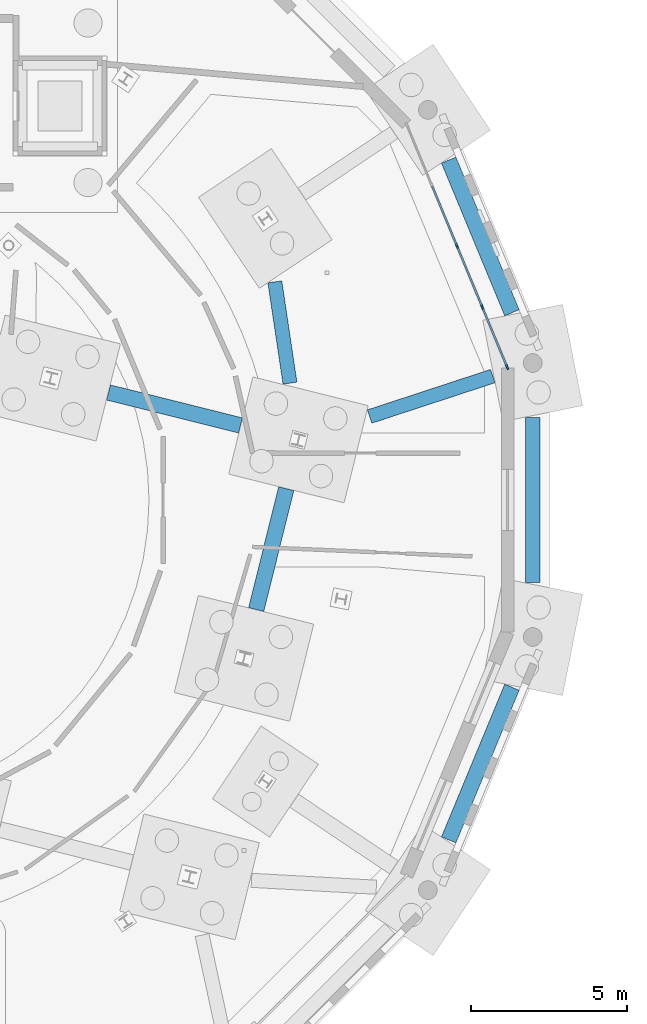
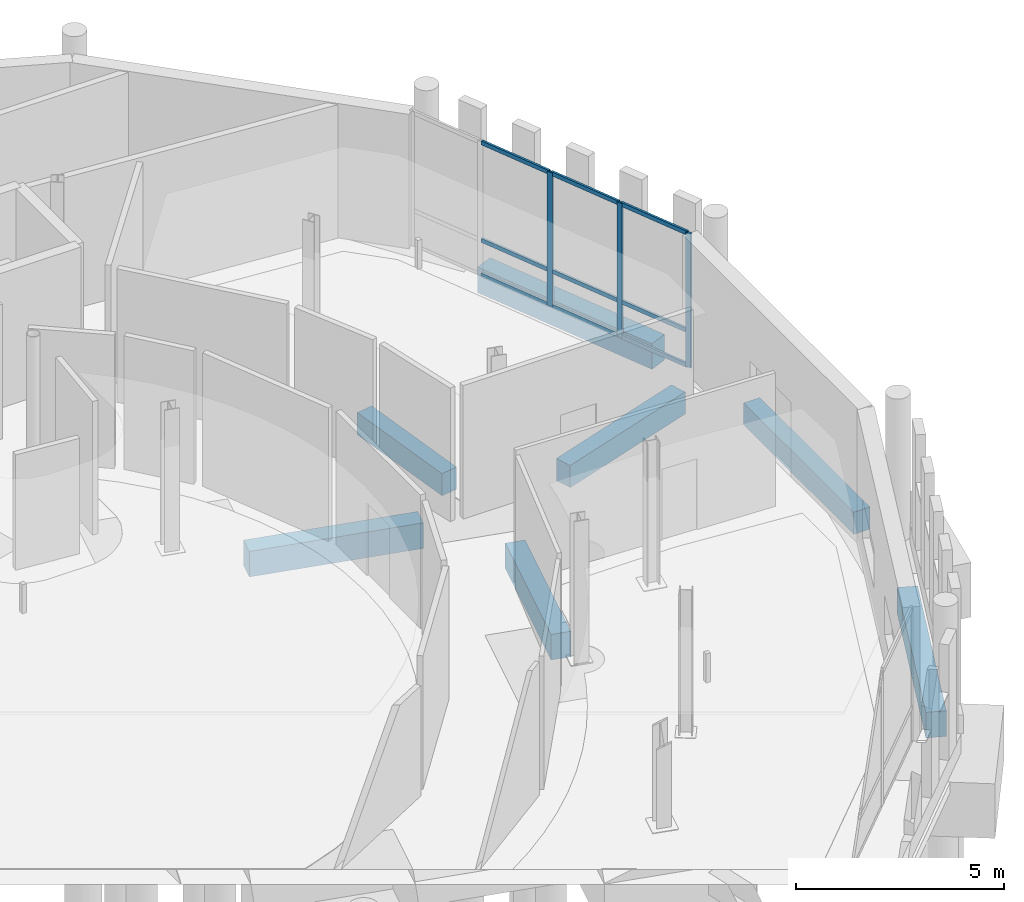
# One storey, part 54 of 113: 12 members, 7 beams, 1 element without a shape of its own.
"""IFC4 building model written with IfcOpenShell, lengths in metres."""

from ifc_helpers import new_model, si_unit, direction, frame, origin, origin_2d, place, context, subcontext, project, spatial, rectangle, extrude, material, material_profile, profile_set, type_object, element, aggregate, save


model = new_model("IFC4")

# Units and contexts
model_context = context("Model", 3, precision=1e-05, world=origin(), true_north=direction((0.0, 1.0)))
body_context = subcontext(model_context, "Body", "Model", "MODEL_VIEW")
ifc_project = project(units=[si_unit("LENGTHUNIT", "METRE"), si_unit("AREAUNIT", "SQUARE_METRE"), si_unit("VOLUMEUNIT", "CUBIC_METRE"), si_unit("PLANEANGLEUNIT", "RADIAN"), si_unit("MASSUNIT", "GRAM", prefix="KILO")], contexts=[model_context])

# Site, building, storey
site_placement = place(None, origin())
site = spatial("IfcSite", under=ifc_project, at=site_placement, CompositionType="ELEMENT")
building_placement = place(site_placement, origin())
building = spatial("IfcBuilding", under=site, at=building_placement, Name="Wrenclough Park School", CompositionType="ELEMENT")
storey_placement = place(building_placement, origin())
storey = spatial("IfcBuildingStorey", under=building, at=storey_placement, Name="L00", CompositionType="ELEMENT", Elevation=0.0)

# Curtain wall, members
ifc_material_1 = material(Name="Thermally broken aluminium and low-e glass curtain wall", Category="aluminium")
curtain_wall_type = type_object("IfcCurtainWallType", Name="ENV-CW-15", PredefinedType="USERDEFINED", material=ifc_material_1)
curtain_wall_placement = place(storey_placement, origin())
curtain_wall = element("IfcCurtainWall", 1, at=curtain_wall_placement, inside=storey, type_object=curtain_wall_type, Name="L00 recessed curtain wall assembly 030", ObjectType="CURTAIN WALL", PredefinedType="USERDEFINED")
ifc_material_2 = material(Name="Thermally broken anodised aluminium", Category="aluminium")
ifc_material_profile_1 = material_profile(ifc_material_2, rectangle(XDim=0.06005859375, YDim=0.159912109375, at=origin_2d()), Name="AL MULLION 60x160")
ifc_profile_set_1 = profile_set([ifc_material_profile_1], Name="Thermally broken anodised aluminium")
member_type_1 = type_object("IfcMemberType", Name="ENV-CWM-1", PredefinedType="MULLION", material=ifc_profile_set_1)
member_1_placement = place(storey_placement, frame((175.097412109375, 34.617431640625, 0.0), z_axis=(0.0, 0.0, 1.0), x_axis=(0.923878191205, 0.382686670549, 0.0)))
member_1 = element("IfcMember", 2, at=member_1_placement, type_object=member_type_1, Name="CW-15 mullion 3", PredefinedType="MULLION", context=body_context, shape_type="SweptSolid", body=[
    extrude(rectangle(XDim=0.06005859375, YDim=0.159912109375, at=origin_2d()), origin(), (0.0, 0.0, 1.0), 3.93994140625),
])
member_2_placement = place(storey_placement, frame((175.904052734375, 32.670166015625, 0.0), z_axis=(0.0, 0.0, 1.0), x_axis=(0.923878191205, 0.382686670549, 0.0)))
member_2 = element("IfcMember", 3, at=member_2_placement, type_object=member_type_1, Name="CW-15 mullion 4", PredefinedType="MULLION", context=body_context, shape_type="SweptSolid", body=[
    extrude(rectangle(XDim=0.06005859375, YDim=0.159912109375, at=origin_2d()), origin(), (0.0, 0.0, 1.0), 3.93994140625),
])
member_3_placement = place(storey_placement, frame((176.69921875, 30.750732421875, 0.0), z_axis=(0.0, 0.0, 1.0), x_axis=(0.923878191205, 0.382686670549, 0.0)))
member_3 = element("IfcMember", 4, at=member_3_placement, type_object=member_type_1, Name="CW-15 mullion 5", PredefinedType="MULLION", context=body_context, shape_type="SweptSolid", body=[
    extrude(rectangle(XDim=0.06005859375, YDim=0.159912109375, at=origin_2d()), origin(), (0.0, 0.0, 1.0), 3.93994140625),
])
ifc_material_profile_2 = material_profile(ifc_material_2, rectangle(XDim=0.06005859375, YDim=0.1201171875, at=origin_2d()), Name="AL TRANSOM 60x120")
ifc_profile_set_2 = profile_set([ifc_material_profile_2], Name="Thermally broken anodised aluminium")
member_type_2 = type_object("IfcMemberType", Name="ENV-CWT-1", PredefinedType="USERDEFINED", material=ifc_profile_set_2)
member_4_placement = place(storey_placement, frame((174.30224609375, 36.536865234375, 0.030029296875), z_axis=(0.382751958637, -0.923851145022, 0.0), x_axis=(0.923851145022, 0.382751958637, 0.0)))
member_4 = element("IfcMember", 5, at=member_4_placement, type_object=member_type_2, Name="CW-15 transom 2.1", ObjectType="TRANSOM", PredefinedType="USERDEFINED", context=body_context, shape_type="SweptSolid", body=[
    extrude(rectangle(XDim=0.06005859375, YDim=0.1201171875, at=origin_2d()), origin(), (0.0, 0.0, 1.0), 2.047607421875),
])
member_5_placement = place(storey_placement, frame((174.30224609375, 36.536865234375, 1.050048828125), z_axis=(0.382751958637, -0.923851145022, 0.0), x_axis=(0.923851145022, 0.382751958637, 0.0)))
member_5 = element("IfcMember", 6, at=member_5_placement, type_object=member_type_2, Name="CW-15 transom 2.2", ObjectType="TRANSOM", PredefinedType="USERDEFINED", context=body_context, shape_type="SweptSolid", body=[
    extrude(rectangle(XDim=0.06005859375, YDim=0.1201171875, at=origin_2d()), origin(), (0.0, 0.0, 1.0), 2.047607421875),
])
member_6_placement = place(storey_placement, frame((174.30224609375, 36.536865234375, 3.909912109375), z_axis=(0.382751958637, -0.923851145022, 0.0), x_axis=(0.923851145022, 0.382751958637, 0.0)))
member_6 = element("IfcMember", 7, at=member_6_placement, type_object=member_type_2, Name="CW-15 transom 2.3", ObjectType="TRANSOM", PredefinedType="USERDEFINED", context=body_context, shape_type="SweptSolid", body=[
    extrude(rectangle(XDim=0.06005859375, YDim=0.1201171875, at=origin_2d()), origin(), (0.0, 0.0, 1.0), 2.047607421875),
])
member_7_placement = place(storey_placement, frame((175.10888671875, 34.58984375, 0.030029296875), z_axis=(0.382709799853, -0.923868610299, 0.0), x_axis=(0.923868610299, 0.382709799853, 0.0)))
member_7 = element("IfcMember", 8, at=member_7_placement, type_object=member_type_2, Name="CW-15 transom 3.1", ObjectType="TRANSOM", PredefinedType="USERDEFINED", context=body_context, shape_type="SweptSolid", body=[
    extrude(rectangle(XDim=0.06005859375, YDim=0.1201171875, at=origin_2d()), origin(), (0.0, 0.0, 1.0), 2.0478515625),
])
member_8_placement = place(storey_placement, frame((175.10888671875, 34.58984375, 1.050048828125), z_axis=(0.382709799853, -0.923868610299, 0.0), x_axis=(0.923868610299, 0.382709799853, 0.0)))
member_8 = element("IfcMember", 9, at=member_8_placement, type_object=member_type_2, Name="CW-15 transom 3.2", ObjectType="TRANSOM", PredefinedType="USERDEFINED", context=body_context, shape_type="SweptSolid", body=[
    extrude(rectangle(XDim=0.06005859375, YDim=0.1201171875, at=origin_2d()), origin(), (0.0, 0.0, 1.0), 2.0478515625),
])
member_9_placement = place(storey_placement, frame((175.10888671875, 34.58984375, 3.909912109375), z_axis=(0.382709799853, -0.923868610299, 0.0), x_axis=(0.923868610299, 0.382709799853, 0.0)))
member_9 = element("IfcMember", 10, at=member_9_placement, type_object=member_type_2, Name="CW-15 transom 3.3", ObjectType="TRANSOM", PredefinedType="USERDEFINED", context=body_context, shape_type="SweptSolid", body=[
    extrude(rectangle(XDim=0.06005859375, YDim=0.1201171875, at=origin_2d()), origin(), (0.0, 0.0, 1.0), 2.0478515625),
])
member_10_placement = place(storey_placement, frame((175.91552734375, 32.642578125, 0.030029296875), z_axis=(0.382690169526, -0.923876741859, 0.0), x_axis=(0.923876741859, 0.382690169526, 0.0)))
member_10 = element("IfcMember", 11, at=member_10_placement, type_object=member_type_2, Name="CW-15 transom 4.1", ObjectType="TRANSOM", PredefinedType="USERDEFINED", context=body_context, shape_type="SweptSolid", body=[
    extrude(rectangle(XDim=0.06005859375, YDim=0.1201171875, at=origin_2d()), origin(), (0.0, 0.0, 1.0), 2.017822265625),
])
member_11_placement = place(storey_placement, frame((175.91552734375, 32.642578125, 1.050048828125), z_axis=(0.382690169526, -0.923876741859, 0.0), x_axis=(0.923876741859, 0.382690169526, 0.0)))
member_11 = element("IfcMember", 12, at=member_11_placement, type_object=member_type_2, Name="CW-15 transom 4.2", ObjectType="TRANSOM", PredefinedType="USERDEFINED", context=body_context, shape_type="SweptSolid", body=[
    extrude(rectangle(XDim=0.06005859375, YDim=0.1201171875, at=origin_2d()), origin(), (0.0, 0.0, 1.0), 2.017822265625),
])
member_12_placement = place(storey_placement, frame((175.91552734375, 32.642578125, 3.909912109375), z_axis=(0.382690169526, -0.923876741859, 0.0), x_axis=(0.923876741859, 0.382690169526, 0.0)))
member_12 = element("IfcMember", 13, at=member_12_placement, type_object=member_type_2, Name="CW-15 transom 4.3", ObjectType="TRANSOM", PredefinedType="USERDEFINED", context=body_context, shape_type="SweptSolid", body=[
    extrude(rectangle(XDim=0.06005859375, YDim=0.1201171875, at=origin_2d()), origin(), (0.0, 0.0, 1.0), 2.017822265625),
])
aggregate(curtain_wall, [member_1, member_2, member_3, member_4, member_5, member_6, member_7, member_8, member_9, member_10, member_11, member_12])

# Beams
ifc_material_3 = material(Name="Concrete C35/45", Category="concrete")
ifc_material_profile_3 = material_profile(ifc_material_3, rectangle(XDim=0.449951171875, YDim=0.64990234375, at=origin_2d()), Name="RC GROUND 450x650")
ifc_profile_set_3 = profile_set([ifc_material_profile_3], Name="Concrete C35/45")
beam_type_1 = type_object("IfcBeamType", Name="STR-BM-GTB1", PredefinedType="USERDEFINED", material=ifc_profile_set_3)
beam_1_placement = place(storey_placement, frame((169.757080078125, 30.235107421875, -0.625), z_axis=(-0.147855755342, 0.989008936063, 0.0), x_axis=(-0.989008936063, -0.147855755342, 0.0)))
element("IfcBeam", 14, at=beam_1_placement, inside=storey, type_object=beam_type_1, Name="Reinforced concrete ground tie beam 011", ObjectType="GROUND TIE BEAM", PredefinedType="USERDEFINED", context=body_context, shape_type="SweptSolid", body=[
    extrude(rectangle(XDim=0.449951171875, YDim=0.64990234375, at=origin_2d()), origin(), (0.0, 0.0, 1.0), 3.27587890625),
])
beam_2_placement = place(storey_placement, frame((176.239990234375, 30.46044921875, -0.625), z_axis=(-0.950174914914, -0.311717229341, 0.0), x_axis=(0.311717229341, -0.950174914914, 0.0)))
element("IfcBeam", 15, at=beam_2_placement, inside=storey, type_object=beam_type_1, Name="Reinforced concrete ground tie beam 033", ObjectType="GROUND TIE BEAM", PredefinedType="USERDEFINED", context=body_context, shape_type="SweptSolid", body=[
    extrude(rectangle(XDim=0.449951171875, YDim=0.64990234375, at=origin_2d()), origin(), (0.0, 0.0, 1.0), 4.14404296875),
])
beam_3_placement = place(storey_placement, frame((177.5185546875, 23.854736328125, -0.625), z_axis=(0.0, 1.0, 0.0), x_axis=(-1.0, 0.0, 0.0)))
element("IfcBeam", 16, at=beam_3_placement, inside=storey, type_object=beam_type_1, Name="Reinforced concrete ground tie beam 051", ObjectType="GROUND TIE BEAM", PredefinedType="USERDEFINED", context=body_context, shape_type="SweptSolid", body=[
    extrude(rectangle(XDim=0.449951171875, YDim=0.64990234375, at=origin_2d()), origin(), (0.0, 0.0, 1.0), 5.29052734375),
])
ifc_material_profile_4 = material_profile(ifc_material_3, rectangle(XDim=0.5, YDim=0.75, at=origin_2d()), Name="RC GROUND 500x750")
ifc_profile_set_4 = profile_set([ifc_material_profile_4], Name="Concrete C35/45")
beam_type_2 = type_object("IfcBeamType", Name="STR-BM-GTB2", PredefinedType="USERDEFINED", material=ifc_profile_set_4)
beam_4_placement = place(storey_placement, frame((163.955078125, 29.936767578125, -0.675048828125), z_axis=(0.970300728995, -0.241901829904, 0.0), x_axis=(0.241901829904, 0.970300728995, 0.0)))
element("IfcBeam", 17, at=beam_4_placement, inside=storey, type_object=beam_type_2, Name="Reinforced concrete ground tie beam 008", ObjectType="GROUND TIE BEAM", PredefinedType="USERDEFINED", context=body_context, shape_type="SweptSolid", body=[
    extrude(rectangle(XDim=0.5, YDim=0.75, at=origin_2d()), origin(), (0.0, 0.0, 1.0), 4.350830078125),
])
beam_5_placement = place(storey_placement, frame((168.675048828125, 22.99658203125, -0.675048828125), z_axis=(0.241929995817, 0.970293706629, 0.0), x_axis=(-0.970293706629, 0.241929995817, 0.0)))
element("IfcBeam", 18, at=beam_5_placement, inside=storey, type_object=beam_type_2, Name="Reinforced concrete ground tie beam 010", ObjectType="GROUND TIE BEAM", PredefinedType="USERDEFINED", context=body_context, shape_type="SweptSolid", body=[
    extrude(rectangle(XDim=0.5, YDim=0.75, at=origin_2d()), origin(), (0.0, 0.0, 1.0), 3.984130859375),
])
for number, where, z_axis, x_axis, name in (
    (19, (176.853271484375, 32.48583984375, -0.675048828125), (-0.382661999621, 0.923888409953, 0.0), (-0.923888409953, -0.382661999621, 0.0), "Reinforced concrete ground tie beam 034"),
    (20, (176.853271484375, 20.51416015625, -0.675048828125), (-0.382661999621, -0.923888409953, 0.0), (0.923888409953, -0.382661999621, 0.0), "Reinforced concrete ground tie beam 050"),
):
    element("IfcBeam", number, at=place(storey_placement, frame(where, z_axis=z_axis, x_axis=x_axis)), inside=storey, type_object=beam_type_2, Name=name, ObjectType="GROUND TIE BEAM", PredefinedType="USERDEFINED", context=body_context, shape_type="SweptSolid", body=[
        extrude(rectangle(XDim=0.5, YDim=0.75, at=origin_2d()), origin(), (0.0, 0.0, 1.0), 5.28271484375),
    ])

save(model, "model.ifc")
